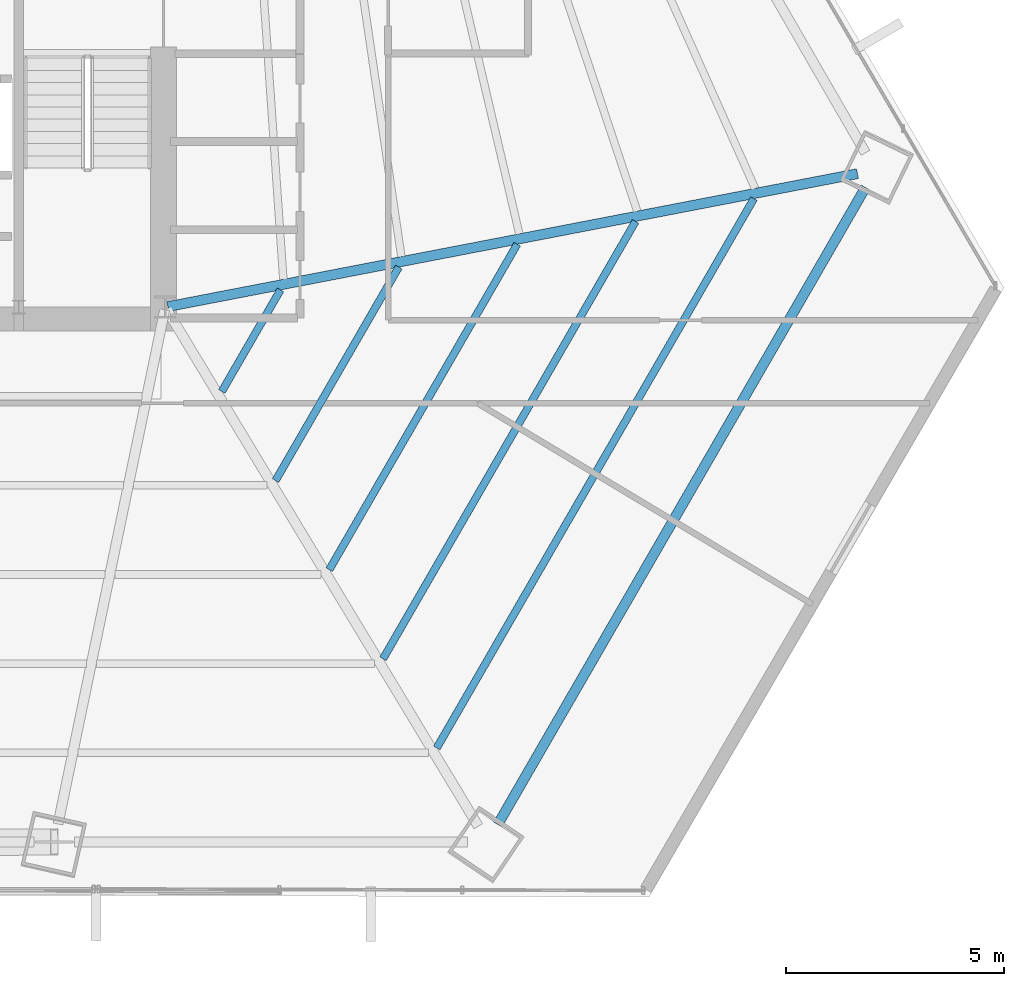
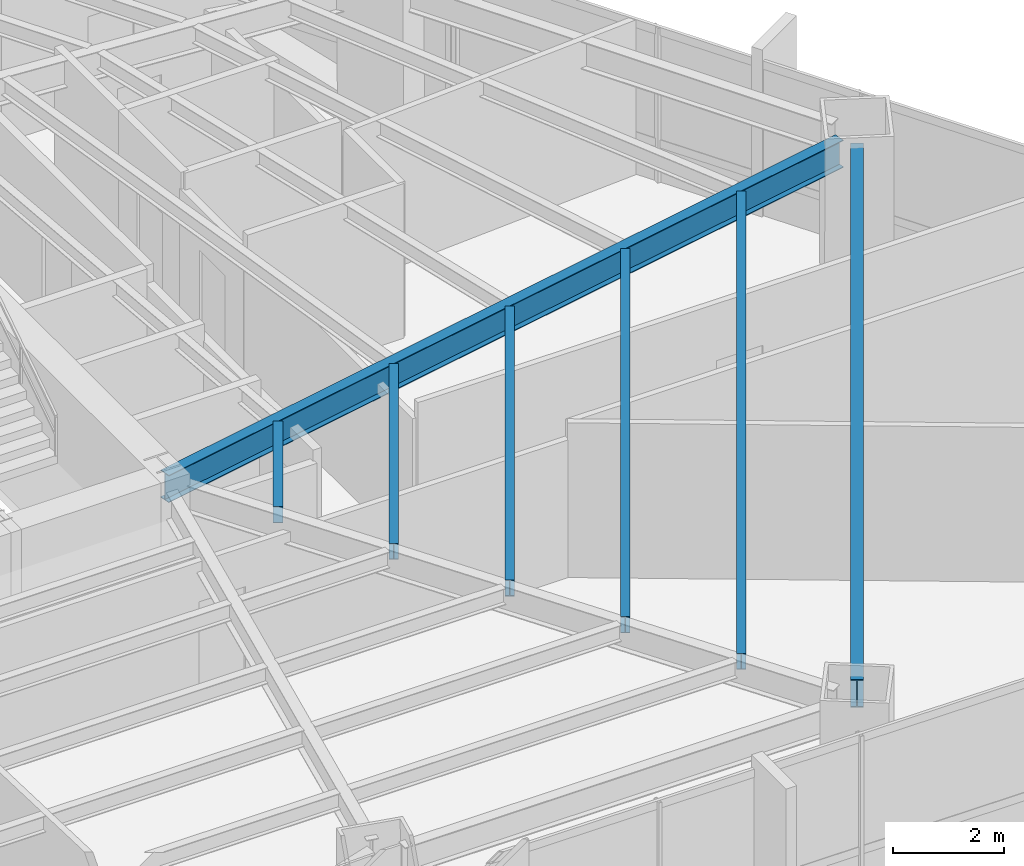
# One storey, part 15 of 33: 7 beams.
"""IFC4 building model written with IfcOpenShell, lengths in metres."""

from ifc_helpers import new_model, si_unit, direction, frame, origin, origin_2d, place, context, subcontext, project, spatial, i_section, extrude, source, transform, mapped, material, material_profile, profile_set, type_object, type_shapes, element, save


model = new_model("IFC4")

# Units and contexts
model_context = context("Model", 3, precision=1e-05, world=origin(), true_north=direction((0.0, 1.0)))
body_context = subcontext(model_context, "Body", "Model", "MODEL_VIEW")
ifc_project = project(units=[si_unit("LENGTHUNIT", "METRE"), si_unit("AREAUNIT", "SQUARE_METRE"), si_unit("VOLUMEUNIT", "CUBIC_METRE"), si_unit("PLANEANGLEUNIT", "RADIAN"), si_unit("MASSUNIT", "GRAM", prefix="KILO")], contexts=[model_context])

# Site, building, storey
site_placement = place(None, origin())
site = spatial("IfcSite", under=ifc_project, at=site_placement, CompositionType="ELEMENT")
building_placement = place(site_placement, origin())
building = spatial("IfcBuilding", under=site, at=building_placement, Name="Caelisora Broadcast Tower", CompositionType="ELEMENT")
storey_placement = place(building_placement, frame((0.0, 0.0, 42.199951171875)))
storey = spatial("IfcBuildingStorey", under=building, at=storey_placement, Name="L10", CompositionType="ELEMENT", Elevation=42.199951171875)

# Beams
ifc_material = material(Name="Steel Grade 350 (AS/NZS 3679.1)", Category="steel")
ifc_material_profile_1 = material_profile(ifc_material, i_section(OverallWidth=0.22900390625, OverallDepth=0.611572265625, WebThickness=0.011962890625, FlangeThickness=0.01953125, at=origin_2d()), Name="Steel Grade 350 (AS/NZS 3679.1)")
ifc_profile_set_1 = profile_set([ifc_material_profile_1], Name="Steel Grade 350 (AS/NZS 3679.1)")
beam_type_1 = type_object("IfcBeamType", Name="PG03", PredefinedType="BEAM", material=ifc_profile_set_1)
shared_shape_1 = source(origin(), body_context, "Body", "SweptSolid", [
    extrude(i_section(OverallWidth=0.22900390625, OverallDepth=0.611572265625, WebThickness=0.011962890625, FlangeThickness=0.01953125, at=origin_2d()), origin(), (0.0, 0.0, 1.0), 16.8310546875),
])
type_shapes(beam_type_1, [shared_shape_1])
beam_1_placement = place(storey_placement, frame((53.108154296875, 5.559814453125, 3.09423828125), z_axis=(0.499998689388, 0.866026160465, 0.0), x_axis=(-0.866026160465, 0.499998689388, 0.0)))
element("IfcBeam", 1, at=beam_1_placement, inside=storey, type_object=beam_type_1, Name="L10 beam PG03", PredefinedType="BEAM", context=body_context, shape_type="MappedRepresentation", body=[
    mapped(shared_shape_1, transform((0.0, 0.0, 0.0), scale=1.0)),
])
ifc_material_profile_2 = material_profile(ifc_material, i_section(OverallWidth=0.22802734375, OverallDepth=0.602294921875, WebThickness=0.010498046875, FlangeThickness=0.014892578125, at=origin_2d()), Name="Steel Grade 350 (AS/NZS 3679.1)")
ifc_profile_set_2 = profile_set([ifc_material_profile_2], Name="Steel Grade 350 (AS/NZS 3679.1)")
beam_type_2 = type_object("IfcBeamType", Name="PG04", PredefinedType="BEAM", material=ifc_profile_set_2)
shared_shape_2 = source(origin(), body_context, "Body", "SweptSolid", [
    extrude(i_section(OverallWidth=0.22802734375, OverallDepth=0.602294921875, WebThickness=0.010498046875, FlangeThickness=0.014892578125, at=origin_2d()), origin(), (0.0, 0.0, 1.0), 16.0732421875),
])
type_shapes(beam_type_2, [shared_shape_2])
beam_2_placement = place(storey_placement, frame((45.558837890625, 17.411376953125, 3.098876953125), z_axis=(0.981909787793, 0.189349329641, 0.0), x_axis=(-0.189349329641, 0.981909787793, 0.0)))
element("IfcBeam", 2, at=beam_2_placement, inside=storey, type_object=beam_type_2, Name="L10 beam PG04", PredefinedType="BEAM", context=body_context, shape_type="MappedRepresentation", body=[
    mapped(shared_shape_2, transform((0.0, 0.0, 0.0), scale=1.0)),
])
ifc_material_profile_3 = material_profile(ifc_material, i_section(OverallWidth=0.172119140625, OverallDepth=0.358642578125, WebThickness=0.008056640625, FlangeThickness=0.012939453125, at=origin_2d()), Name="Steel Grade 350 (AS/NZS 3679.1)")
ifc_profile_set_3 = profile_set([ifc_material_profile_3], Name="Steel Grade 350 (AS/NZS 3679.1)")
beam_type_3 = type_object("IfcBeamType", Name="SB02", PredefinedType="JOIST", material=ifc_profile_set_3)
shared_shape_3 = source(origin(), body_context, "Body", "SweptSolid", [
    extrude(i_section(OverallWidth=0.172119140625, OverallDepth=0.358642578125, WebThickness=0.008056640625, FlangeThickness=0.012939453125, at=origin_2d()), origin(), (0.0, 0.0, 1.0), 2.683349609375),
])
beam_3_placement = place(storey_placement, frame((46.793212890625, 15.470458984375, 3.220703125), z_axis=(0.500053234653, 0.865994666562, 0.0), x_axis=(-0.865994666562, 0.500053234653, 0.0)))
element("IfcBeam", 3, at=beam_3_placement, inside=storey, type_object=beam_type_3, Name="L10 beam SB02", PredefinedType="JOIST", context=body_context, shape_type="MappedRepresentation", body=[
    mapped(shared_shape_3, transform((0.0, 0.0, 0.0), scale=1.0)),
])
shared_shape_4 = source(origin(), body_context, "Body", "SweptSolid", [
    extrude(i_section(OverallWidth=0.172119140625, OverallDepth=0.358642578125, WebThickness=0.008056640625, FlangeThickness=0.012939453125, at=origin_2d()), origin(), (0.0, 0.0, 1.0), 5.641845703125),
])
beam_4_placement = place(storey_placement, frame((48.02294921875, 13.4306640625, 3.220703125), z_axis=(0.500015872208, 0.866016239767, 0.0), x_axis=(-0.866016239767, 0.500015872208, 0.0)))
element("IfcBeam", 4, at=beam_4_placement, inside=storey, type_object=beam_type_3, Name="L10 beam SB02", PredefinedType="JOIST", context=body_context, shape_type="MappedRepresentation", body=[
    mapped(shared_shape_4, transform((0.0, 0.0, 0.0), scale=1.0)),
])
shared_shape_5 = source(origin(), body_context, "Body", "SweptSolid", [
    extrude(i_section(OverallWidth=0.172119140625, OverallDepth=0.358642578125, WebThickness=0.008056640625, FlangeThickness=0.012939453125, at=origin_2d()), origin(), (0.0, 0.0, 1.0), 8.6005859375),
])
beam_5_placement = place(storey_placement, frame((49.252685546875, 11.390869140625, 3.220703125), z_axis=(0.500004215162, 0.866022970146, 0.0), x_axis=(-0.866022970146, 0.500004215162, 0.0)))
element("IfcBeam", 5, at=beam_5_placement, inside=storey, type_object=beam_type_3, Name="L10 beam SB02", PredefinedType="JOIST", context=body_context, shape_type="MappedRepresentation", body=[
    mapped(shared_shape_5, transform((0.0, 0.0, 0.0), scale=1.0)),
])
shared_shape_6 = source(origin(), body_context, "Body", "SweptSolid", [
    extrude(i_section(OverallWidth=0.172119140625, OverallDepth=0.358642578125, WebThickness=0.008056640625, FlangeThickness=0.012939453125, at=origin_2d()), origin(), (0.0, 0.0, 1.0), 11.558837890625),
])
beam_6_placement = place(storey_placement, frame((50.482421875, 9.351318359375, 3.220703125), z_axis=(0.500007671222, 0.866020974757, 0.0), x_axis=(-0.866020974757, 0.500007671222, 0.0)))
element("IfcBeam", 6, at=beam_6_placement, inside=storey, type_object=beam_type_3, Name="L10 beam SB02", PredefinedType="JOIST", context=body_context, shape_type="MappedRepresentation", body=[
    mapped(shared_shape_6, transform((0.0, 0.0, 0.0), scale=1.0)),
])
shared_shape_7 = source(origin(), body_context, "Body", "SweptSolid", [
    extrude(i_section(OverallWidth=0.172119140625, OverallDepth=0.358642578125, WebThickness=0.008056640625, FlangeThickness=0.012939453125, at=origin_2d()), origin(), (0.0, 0.0, 1.0), 14.517333984375),
])
type_shapes(beam_type_3, [shared_shape_3, shared_shape_4, shared_shape_5, shared_shape_6, shared_shape_7])
beam_7_placement = place(storey_placement, frame((51.712158203125, 7.311279296875, 3.220703125), z_axis=(0.499989823768, 0.866031278955, 0.0), x_axis=(-0.866031278955, 0.499989823768, 0.0)))
element("IfcBeam", 7, at=beam_7_placement, inside=storey, type_object=beam_type_3, Name="L10 beam SB02", PredefinedType="JOIST", context=body_context, shape_type="MappedRepresentation", body=[
    mapped(shared_shape_7, transform((0.0, 0.0, 0.0), scale=1.0)),
])

save(model, "model.ifc")
